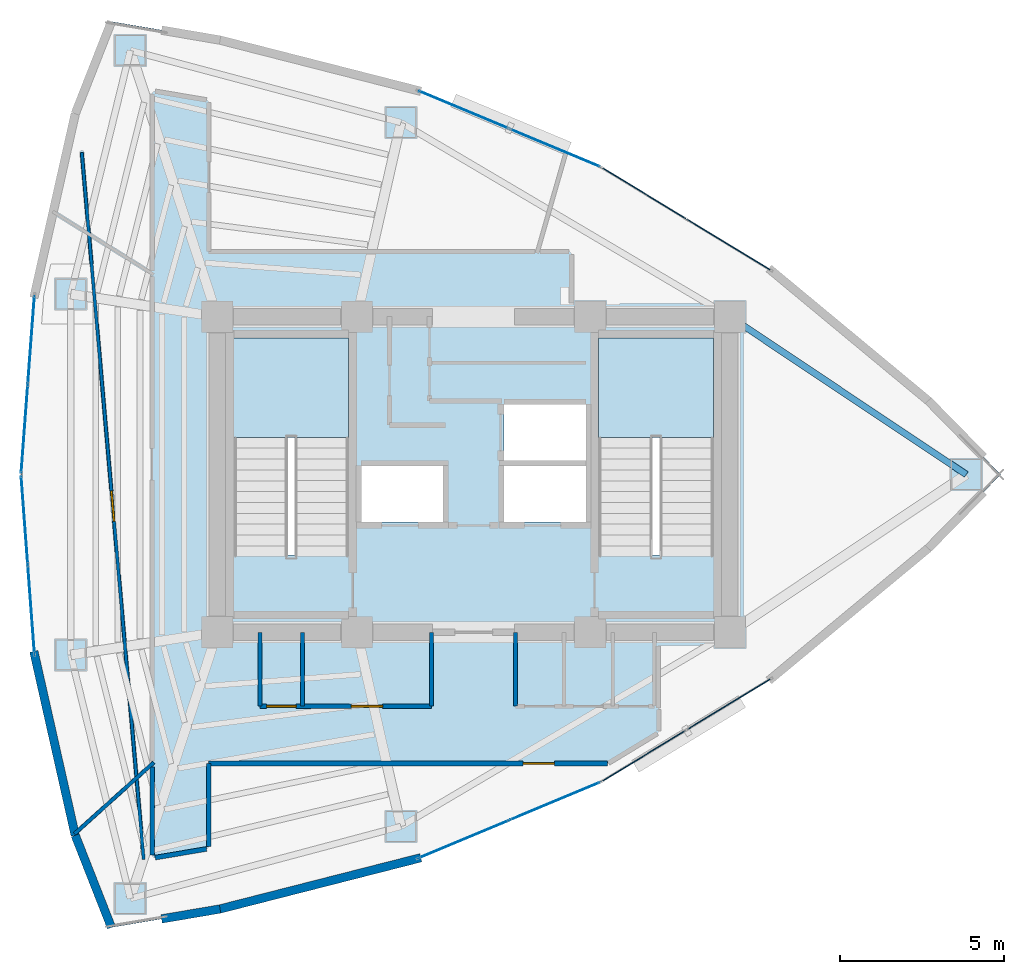
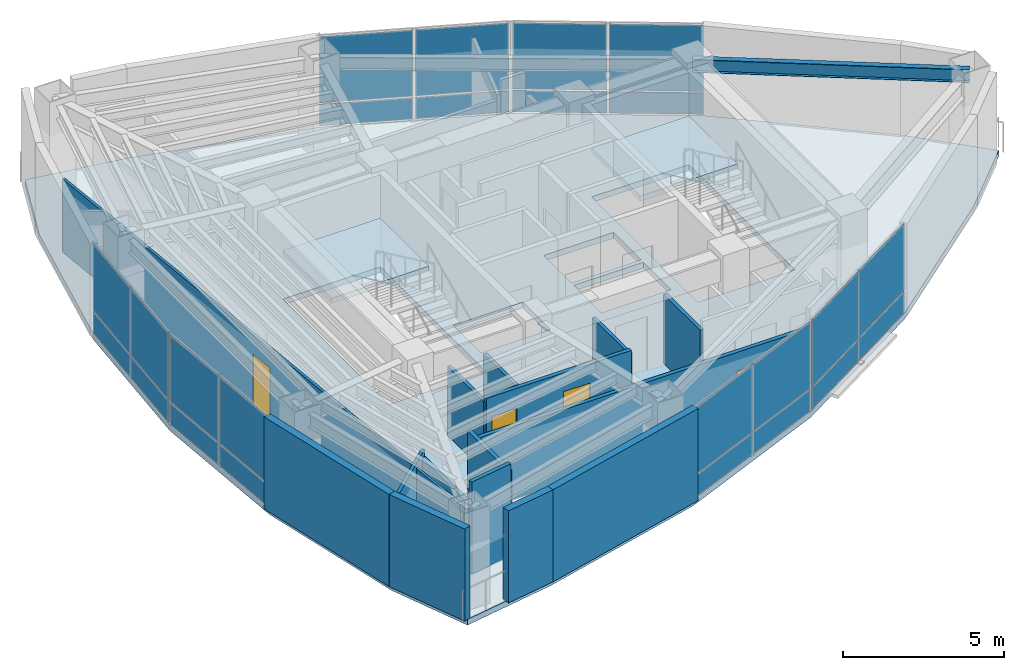
# One storey, part 11 of 16: 24 plates, 15 walls, 4 doors, 3 slabs, 1 beam, 4 openings, 8 elements without a shape of their own.
"""IFC4 building model written with IfcOpenShell, lengths in metres."""

import ifcopenshell
import ifcopenshell.guid

model = None  # the IFC model being written
_history = None  # IfcOwnerHistory: only IFC2X3 demands one
_inside = {}  # id of a spatial element -> (the spatial element, [elements in it])
_under = {}  # id of a project, library or spatial element -> (it, [spatial elements below it])
_declared = {}  # id of a project -> (the project, [libraries it declares])
_typed = {}  # id of a type object -> (the type object, [elements of that type])
_made_of = {}  # id of a material, layer set ... -> (it, [elements and type objects made of it])


def new_model(schema):
    """Start an empty IFC model of exactly this schema.

    Asked for "IFC4X3", IfcOpenShell would pick the latest addendum, in which some entities
    have other attributes; the version numbers below select the first issue.
    IFC2X3 requires an IfcOwnerHistory on every rooted entity: one is made here for all.
    """
    global model, _history
    if schema == "IFC4X3":
        model = ifcopenshell.file(schema_version=(4, 3, 0, 0))
    else:
        model = ifcopenshell.file(schema=schema)
    _inside.clear()
    _under.clear()
    _declared.clear()
    _typed.clear()
    _made_of.clear()
    _history = None
    if model.schema == "IFC2X3":
        org = make("IfcOrganization", Name="unknown")
        user = make(
            "IfcPersonAndOrganization",
            ThePerson=make("IfcPerson", FamilyName="unknown"),
            TheOrganization=org,
        )
        app = make(
            "IfcApplication",
            ApplicationDeveloper=org,
            Version="unknown",
            ApplicationFullName="unknown",
            ApplicationIdentifier="unknown",
        )
        _history = make(
            "IfcOwnerHistory",
            OwningUser=user,
            OwningApplication=app,
            ChangeAction="ADDED",
            CreationDate=0,
        )
    return model


def make(cls, **values):
    """One entity of the class cls with the attributes given. An attribute that is None is left unset."""
    return model.create_entity(
        cls, **{name: value for name, value in values.items() if value is not None}
    )


def rooted(cls, **values):
    """An entity with a GlobalId (a new one), such as an element, a storey or a relation."""
    return make(cls, GlobalId=ifcopenshell.guid.new(), OwnerHistory=_history, **values)


def si_unit(unit_type, name, prefix=None):
    """IfcSIUnit, for example si_unit("LENGTHUNIT", "METRE", prefix="MILLI")."""
    return make("IfcSIUnit", UnitType=unit_type, Prefix=prefix, Name=name)


def assignment(units):
    """IfcUnitAssignment: the units of a project."""
    return None if units is None else make("IfcUnitAssignment", Units=units)


def point(xyz):
    """IfcCartesianPoint."""
    return None if xyz is None else make("IfcCartesianPoint", Coordinates=xyz)


def direction(xyz):
    """IfcDirection."""
    return None if xyz is None else make("IfcDirection", DirectionRatios=xyz)


def frame(location, z_axis=None, x_axis=None):
    """IfcAxis2Placement3D, a coordinate frame: its origin and axes. An axis left out is left unset."""
    return make(
        "IfcAxis2Placement3D",
        Location=point(location),
        Axis=direction(z_axis),
        RefDirection=direction(x_axis),
    )


def frame_2d(location, x_axis=None):
    """IfcAxis2Placement2D, a coordinate frame in the plane: its origin and x axis."""
    return make(
        "IfcAxis2Placement2D", Location=point(location), RefDirection=direction(x_axis)
    )


def origin():
    """The frame at (0, 0, 0) with its axes left unset."""
    return frame((0.0, 0.0, 0.0))


def origin_2d():
    """The frame at (0, 0) in the plane with its x axis left unset."""
    return frame_2d((0.0, 0.0))


def place(relative_to, where):
    """IfcLocalPlacement: puts the frame where relative to a parent placement (None: the world)."""
    return make(
        "IfcLocalPlacement", PlacementRelTo=relative_to, RelativePlacement=where
    )


def context(
    kind, dimensions, precision=None, world=None, true_north=None, identifier=None
):
    """IfcGeometricRepresentationContext, for example the 3D "Model" context."""
    return make(
        "IfcGeometricRepresentationContext",
        ContextIdentifier=identifier,
        ContextType=kind,
        CoordinateSpaceDimension=dimensions,
        Precision=precision,
        WorldCoordinateSystem=world,
        TrueNorth=true_north,
    )


def subcontext(parent, identifier, kind, view, scale=None):
    """IfcGeometricRepresentationSubContext, for example "Body" below "Model"."""
    return make(
        "IfcGeometricRepresentationSubContext",
        ContextIdentifier=identifier,
        ContextType=kind,
        ParentContext=parent,
        TargetScale=scale,
        TargetView=view,
    )


def project(units=None, contexts=None):
    """IfcProject with its units and contexts."""
    return rooted(
        "IfcProject",
        Name="project",
        RepresentationContexts=contexts,
        UnitsInContext=assignment(units),
    )


def spatial(cls, under=None, at=None, **own):
    """A site, building, storey or space (cls), placed at a placement, below another one or the project."""
    s = rooted(cls, ObjectPlacement=at, **own)
    if under is not None:
        _under.setdefault(under.id(), (under, []))[1].append(s)
    return s


def polyline(points):
    """IfcPolyline through the points."""
    return make("IfcPolyline", Points=[point(p) for p in points])


def profile(cls, at=None, kind="AREA", **sizes):
    """A parametric profile (cls). Its sizes go by their IFC names, for example OverallWidth=200.0."""
    return make(cls, ProfileType=kind, Position=at, **sizes)


def rectangle(**sizes):
    """IfcRectangleProfileDef."""
    return profile("IfcRectangleProfileDef", **sizes)


def i_section(**sizes):
    """IfcIShapeProfileDef."""
    return profile("IfcIShapeProfileDef", **sizes)


def outline(outer, holes=None, kind="AREA"):
    """IfcArbitraryClosedProfileDef: a profile drawn as a closed curve; with holes, ...WithVoids."""
    if holes is None:
        return make("IfcArbitraryClosedProfileDef", ProfileType=kind, OuterCurve=outer)
    return make(
        "IfcArbitraryProfileDefWithVoids",
        ProfileType=kind,
        OuterCurve=outer,
        InnerCurves=holes,
    )


def extrude(swept, where, along, depth):
    """IfcExtrudedAreaSolid: the profile swept, set in the frame where, extruded along a direction by depth."""
    return make(
        "IfcExtrudedAreaSolid",
        SweptArea=swept,
        Position=where,
        ExtrudedDirection=direction(along),
        Depth=depth,
    )


def shape(context_of_items, identifier, shape_type, items):
    """IfcShapeRepresentation: the items that make up one representation, for example the "Body"."""
    return make(
        "IfcShapeRepresentation",
        ContextOfItems=context_of_items,
        RepresentationIdentifier=identifier,
        RepresentationType=shape_type,
        Items=items,
    )


def material(Name=None, Category=None):
    """IfcMaterial."""
    return make("IfcMaterial", Name=Name, Category=Category)


def layer(
    of_material, thickness, ventilated=None, Name=None, Category=None, Priority=None
):
    """IfcMaterialLayer: one layer of a wall or slab, of a material (None: an air gap)."""
    return make(
        "IfcMaterialLayer",
        Material=of_material,
        LayerThickness=thickness,
        IsVentilated=ventilated,
        Name=Name,
        Category=Category,
        Priority=Priority,
    )


def layer_set(layers, Name=None):
    """IfcMaterialLayerSet."""
    return make("IfcMaterialLayerSet", MaterialLayers=layers, LayerSetName=Name)


def material_profile(
    of_material, cross_section, Name=None, Category=None, Priority=None
):
    """IfcMaterialProfile: a cross section and its material."""
    return make(
        "IfcMaterialProfile",
        Name=Name,
        Material=of_material,
        Profile=cross_section,
        Priority=Priority,
        Category=Category,
    )


def profile_set(profiles, Name=None, composite=None):
    """IfcMaterialProfileSet."""
    return make(
        "IfcMaterialProfileSet",
        Name=Name,
        MaterialProfiles=profiles,
        CompositeProfile=composite,
    )


def made_of(thing, what):
    """Note that an element or type object is made of a material, layer set ...; save() writes the relation."""
    if what is not None:
        _made_of.setdefault(what.id(), (what, []))[1].append(thing)
    return thing


def type_object(cls, material=None, **own):
    """A type object (cls), such as IfcWallType, which elements share."""
    return made_of(rooted(cls, **own), material)


def element(
    cls,
    number,
    at=None,
    inside=None,
    cuts=None,
    type_object=None,
    material=None,
    context=None,
    identifier="Body",
    shape_type=None,
    held_by="IfcProductDefinitionShape",
    body=None,
    shapes=None,
    **own,
):
    """One element of the class cls, such as IfcWall. Its Tag is "e" and its number.

    at: its placement. inside: the storey or other place that contains it. cuts: it is an
    opening in that element (IfcRelVoidsElement). A single representation is given by context,
    identifier, shape_type and body (its items); several are given by shapes. held_by: the class
    of the entity that holds the representations. save() writes the other relations.
    """
    e = rooted(cls, Tag="e%d" % number, ObjectPlacement=at, **own)
    if body is not None:
        shapes = [shape(context, identifier, shape_type, body)]
    if shapes is not None:
        e.Representation = make(held_by, Representations=shapes)
    if inside is not None:
        _inside.setdefault(inside.id(), (inside, []))[1].append(e)
    if cuts is not None:
        rooted(
            "IfcRelVoidsElement", RelatingBuildingElement=cuts, RelatedOpeningElement=e
        )
    if type_object is not None:
        _typed.setdefault(type_object.id(), (type_object, []))[1].append(e)
    return made_of(e, material)


def fill(opening, filler):
    """IfcRelFillsElement: the door or window that sits in an opening."""
    return rooted(
        "IfcRelFillsElement",
        RelatingOpeningElement=opening,
        RelatedBuildingElement=filler,
    )


def aggregate(whole, parts):
    """IfcRelAggregates: a whole, such as a stair, and the parts it consists of."""
    return rooted("IfcRelAggregates", RelatingObject=whole, RelatedObjects=parts)


def save(model, path):
    """Write the relations noted so far, then the file.

    IfcRelAggregates (storeys below a building ...), IfcRelContainedInSpatialStructure (elements
    in a storey), IfcRelDefinesByType, IfcRelAssociatesMaterial and IfcRelDeclares: one each for
    every whole, place, type object, material and project.
    """
    for whole, parts in _under.values():
        aggregate(whole, parts)
    for where, things in _inside.values():
        rooted(
            "IfcRelContainedInSpatialStructure",
            RelatedElements=things,
            RelatingStructure=where,
        )
    for kind, things in _typed.values():
        rooted("IfcRelDefinesByType", RelatedObjects=things, RelatingType=kind)
    for what, things in _made_of.values():
        rooted("IfcRelAssociatesMaterial", RelatedObjects=things, RelatingMaterial=what)
    for by, libraries in _declared.values():
        rooted("IfcRelDeclares", RelatingContext=by, RelatedDefinitions=libraries)
    model.write(path)


model = new_model("IFC4")

# Units and contexts
model_context = context("Model", 3, precision=1e-05, world=origin(), true_north=direction((0.0, 1.0)))
body_context = subcontext(model_context, "Body", "Model", "MODEL_VIEW")
ifc_project = project(units=[si_unit("LENGTHUNIT", "METRE"), si_unit("AREAUNIT", "SQUARE_METRE"), si_unit("VOLUMEUNIT", "CUBIC_METRE"), si_unit("PLANEANGLEUNIT", "RADIAN"), si_unit("MASSUNIT", "GRAM", prefix="KILO")], contexts=[model_context])

# Site, building, storey
site_placement = place(None, origin())
site = spatial("IfcSite", under=ifc_project, at=site_placement, CompositionType="ELEMENT")
building_placement = place(site_placement, origin())
building = spatial("IfcBuilding", under=site, at=building_placement, Name="Menara Vayukalpa", CompositionType="ELEMENT")
storey_placement = place(building_placement, frame((0.0, 0.0, 219.5400390625)))
storey = spatial("IfcBuildingStorey", under=building, at=storey_placement, Name="L55", CompositionType="ELEMENT", Elevation=219.5400390625)

# Beam
ifc_material_1 = material(Name="Steel S355", Category="steel")
ifc_material_profile = material_profile(ifc_material_1, i_section(OverallWidth=0.199951171875, OverallDepth=0.5, WebThickness=0.010009765625, FlangeThickness=0.01611328125, at=origin_2d()), Name="WF 500x200x10x16")
ifc_profile_set = profile_set([ifc_material_profile], Name="Steel S355")
beam_type = type_object("IfcBeamType", Name="BM-SP3", PredefinedType="SPANDREL", material=ifc_profile_set)
beam_placement = place(storey_placement, frame((40.590576171875, 22.0, 3.25), z_axis=(-0.831715622571, 0.555201876052, 0.0), x_axis=(-0.555201876052, -0.831715622571, 0.0)))
element("IfcBeam", 1, at=beam_placement, inside=storey, type_object=beam_type, Name="L55 Perimeter Spandrel Beam SP01", PredefinedType="SPANDREL", context=body_context, shape_type="SweptSolid", body=[
    extrude(i_section(OverallWidth=0.199951171875, OverallDepth=0.5, WebThickness=0.010009765625, FlangeThickness=0.01611328125, at=origin_2d()), origin(), (0.0, 0.0, 1.0), 8.6455078125),
])

# Curtain wall, plates
ifc_material_2 = material(Name="Anodised Terracotta Aluminium Alloy 6063-T6", Category="masonry")
ifc_layer_1 = layer(ifc_material_2, 0.139892578125)
ifc_layer_set_1 = layer_set([ifc_layer_1], Name="Anodised Terracotta Aluminium Alloy 6063-T6")
curtain_wall_type = type_object("IfcCurtainWallType", Name="CW-CW5", PredefinedType="USERDEFINED", material=ifc_layer_set_1)
curtain_wall_1_placement = place(storey_placement, origin())
curtain_wall_1 = element("IfcCurtainWall", 2, at=curtain_wall_1_placement, inside=storey, type_object=curtain_wall_type, Name="L55 High Rise Tapered Curtain Wall CW5 04", ObjectType="UNITISED", PredefinedType="USERDEFINED")
ifc_material_3 = material(Name="Low-E Double Glazing", Category="glass")
ifc_layer_2 = layer(ifc_material_3, 0.028076171875)
ifc_layer_set_2 = layer_set([ifc_layer_2], Name="Low-E Double Glazing")
plate_type = type_object("IfcPlateType", Name="CWP-CW5", PredefinedType="CURTAIN_PANEL", material=ifc_layer_set_2)
plate_1_placement = place(storey_placement, frame((33.358642578125, 28.994384765625, 0.059814453125), z_axis=(0.0, 0.0, 1.0), x_axis=(-0.854664974832, 0.519179911779, 0.0)))
plate_1 = element("IfcPlate", 3, at=plate_1_placement, type_object=plate_type, Name="CW5 panel 1.1", PredefinedType="CURTAIN_PANEL", context=body_context, shape_type="SweptSolid", body=[
    extrude(rectangle(XDim=2.9423828125, YDim=0.028076171875, at=origin_2d()), origin(), (0.0, 0.0, 1.0), 0.81005859375),
])
plate_2_placement = place(storey_placement, frame((33.358642578125, 28.994384765625, 0.93017578125), z_axis=(0.0, 0.0, 1.0), x_axis=(-0.854664974832, 0.519179911779, 0.0)))
plate_2 = element("IfcPlate", 4, at=plate_2_placement, type_object=plate_type, Name="CW5 panel 1.2", PredefinedType="CURTAIN_PANEL", context=body_context, shape_type="SweptSolid", body=[
    extrude(rectangle(XDim=2.9423828125, YDim=0.028076171875, at=origin_2d()), origin(), (0.0, 0.0, 1.0), 2.510009765625),
])
plate_3_placement = place(storey_placement, frame((30.79248046875, 30.55322265625, 0.059814453125), z_axis=(0.0, 0.0, 1.0), x_axis=(-0.854664974832, 0.519179911779, 0.0)))
plate_3 = element("IfcPlate", 5, at=plate_3_placement, type_object=plate_type, Name="CW5 panel 2.1", PredefinedType="CURTAIN_PANEL", context=body_context, shape_type="SweptSolid", body=[
    extrude(rectangle(XDim=2.9423828125, YDim=0.028076171875, at=origin_2d()), origin(), (0.0, 0.0, 1.0), 0.81005859375),
])
plate_4_placement = place(storey_placement, frame((30.79248046875, 30.55322265625, 0.93017578125), z_axis=(0.0, 0.0, 1.0), x_axis=(-0.854664974832, 0.519179911779, 0.0)))
plate_4 = element("IfcPlate", 6, at=plate_4_placement, type_object=plate_type, Name="CW5 panel 2.2", PredefinedType="CURTAIN_PANEL", context=body_context, shape_type="SweptSolid", body=[
    extrude(rectangle(XDim=2.9423828125, YDim=0.028076171875, at=origin_2d()), origin(), (0.0, 0.0, 1.0), 2.510009765625),
])
aggregate(curtain_wall_1, [plate_1, plate_2, plate_3, plate_4])

curtain_wall_2_placement = place(storey_placement, origin())
curtain_wall_2 = element("IfcCurtainWall", 7, at=curtain_wall_2_placement, inside=storey, type_object=curtain_wall_type, Name="L55 High Rise Tapered Curtain Wall CW5 05", ObjectType="UNITISED", PredefinedType="USERDEFINED")
plate_5_placement = place(storey_placement, frame((28.071044921875, 31.93896484375, 0.059814453125), z_axis=(0.0, 0.0, 1.0), x_axis=(-0.922539431351, 0.385902834406, 0.0)))
plate_5 = element("IfcPlate", 8, at=plate_5_placement, type_object=plate_type, Name="CW5 panel 1.1", PredefinedType="CURTAIN_PANEL", context=body_context, shape_type="SweptSolid", body=[
    extrude(rectangle(XDim=2.9423828125, YDim=0.028076171875, at=origin_2d()), origin(), (0.0, 0.0, 1.0), 0.81005859375),
])
plate_6_placement = place(storey_placement, frame((28.071044921875, 31.93896484375, 0.93017578125), z_axis=(0.0, 0.0, 1.0), x_axis=(-0.922539431351, 0.385902834406, 0.0)))
plate_6 = element("IfcPlate", 9, at=plate_6_placement, type_object=plate_type, Name="CW5 panel 1.2", PredefinedType="CURTAIN_PANEL", context=body_context, shape_type="SweptSolid", body=[
    extrude(rectangle(XDim=2.9423828125, YDim=0.028076171875, at=origin_2d()), origin(), (0.0, 0.0, 1.0), 2.510009765625),
])
plate_7_placement = place(storey_placement, frame((25.30126953125, 33.09765625, 0.059814453125), z_axis=(0.0, 0.0, 1.0), x_axis=(-0.922539431351, 0.385902834406, 0.0)))
plate_7 = element("IfcPlate", 10, at=plate_7_placement, type_object=plate_type, Name="CW5 panel 2.1", PredefinedType="CURTAIN_PANEL", context=body_context, shape_type="SweptSolid", body=[
    extrude(rectangle(XDim=2.9423828125, YDim=0.028076171875, at=origin_2d()), origin(), (0.0, 0.0, 1.0), 0.81005859375),
])
plate_8_placement = place(storey_placement, frame((25.30126953125, 33.09765625, 0.93017578125), z_axis=(0.0, 0.0, 1.0), x_axis=(-0.922539431351, 0.385902834406, 0.0)))
plate_8 = element("IfcPlate", 11, at=plate_8_placement, type_object=plate_type, Name="CW5 panel 2.2", PredefinedType="CURTAIN_PANEL", context=body_context, shape_type="SweptSolid", body=[
    extrude(rectangle(XDim=2.9423828125, YDim=0.028076171875, at=origin_2d()), origin(), (0.0, 0.0, 1.0), 2.510009765625),
])
aggregate(curtain_wall_2, [plate_5, plate_6, plate_7, plate_8])

curtain_wall_3_placement = place(storey_placement, origin())
curtain_wall_3 = element("IfcCurtainWall", 12, at=curtain_wall_3_placement, inside=storey, type_object=curtain_wall_type, Name="L55 High Rise Tapered Curtain Wall CW5 10", ObjectType="UNITISED", PredefinedType="USERDEFINED")
plate_9_placement = place(storey_placement, frame((12.139892578125, 26.10205078125, 0.059814453125), z_axis=(0.0, 0.0, 1.0), x_axis=(-0.074791754736, -0.9971991744, 0.0)))
plate_9 = element("IfcPlate", 13, at=plate_9_placement, type_object=plate_type, Name="CW5 panel 1.1", PredefinedType="CURTAIN_PANEL", context=body_context, shape_type="SweptSolid", body=[
    extrude(rectangle(XDim=2.662353515625, YDim=0.028076171875, at=origin_2d()), origin(), (0.0, 0.0, 1.0), 0.81005859375),
])
plate_10_placement = place(storey_placement, frame((12.139892578125, 26.10205078125, 0.93017578125), z_axis=(0.0, 0.0, 1.0), x_axis=(-0.074791754736, -0.9971991744, 0.0)))
plate_10 = element("IfcPlate", 14, at=plate_10_placement, type_object=plate_type, Name="CW5 panel 1.2", PredefinedType="CURTAIN_PANEL", context=body_context, shape_type="SweptSolid", body=[
    extrude(rectangle(XDim=2.662353515625, YDim=0.028076171875, at=origin_2d()), origin(), (0.0, 0.0, 1.0), 2.510009765625),
])
plate_11_placement = place(storey_placement, frame((11.936279296875, 23.38720703125, 0.059814453125), z_axis=(0.0, 0.0, 1.0), x_axis=(-0.074791754736, -0.9971991744, 0.0)))
plate_11 = element("IfcPlate", 15, at=plate_11_placement, type_object=plate_type, Name="CW5 panel 2.1", PredefinedType="CURTAIN_PANEL", context=body_context, shape_type="SweptSolid", body=[
    extrude(rectangle(XDim=2.662353515625, YDim=0.028076171875, at=origin_2d()), origin(), (0.0, 0.0, 1.0), 0.81005859375),
])
plate_12_placement = place(storey_placement, frame((11.936279296875, 23.38720703125, 0.93017578125), z_axis=(0.0, 0.0, 1.0), x_axis=(-0.074791754736, -0.9971991744, 0.0)))
plate_12 = element("IfcPlate", 16, at=plate_12_placement, type_object=plate_type, Name="CW5 panel 2.2", PredefinedType="CURTAIN_PANEL", context=body_context, shape_type="SweptSolid", body=[
    extrude(rectangle(XDim=2.662353515625, YDim=0.028076171875, at=origin_2d()), origin(), (0.0, 0.0, 1.0), 2.510009765625),
])
aggregate(curtain_wall_3, [plate_9, plate_10, plate_11, plate_12])

curtain_wall_4_placement = place(storey_placement, origin())
curtain_wall_4 = element("IfcCurtainWall", 17, at=curtain_wall_4_placement, inside=storey, type_object=curtain_wall_type, Name="L55 High Rise Tapered Curtain Wall CW5 11", ObjectType="UNITISED", PredefinedType="USERDEFINED")
plate_13_placement = place(storey_placement, frame((11.936279296875, 20.61279296875, 0.059814453125), z_axis=(0.0, 0.0, 1.0), x_axis=(0.074791754736, -0.9971991744, 0.0)))
plate_13 = element("IfcPlate", 18, at=plate_13_placement, type_object=plate_type, Name="CW5 panel 1.1", PredefinedType="CURTAIN_PANEL", context=body_context, shape_type="SweptSolid", body=[
    extrude(rectangle(XDim=2.662353515625, YDim=0.028076171875, at=origin_2d()), origin(), (0.0, 0.0, 1.0), 0.81005859375),
])
plate_14_placement = place(storey_placement, frame((11.936279296875, 20.61279296875, 0.93017578125), z_axis=(0.0, 0.0, 1.0), x_axis=(0.074791754736, -0.9971991744, 0.0)))
plate_14 = element("IfcPlate", 19, at=plate_14_placement, type_object=plate_type, Name="CW5 panel 1.2", PredefinedType="CURTAIN_PANEL", context=body_context, shape_type="SweptSolid", body=[
    extrude(rectangle(XDim=2.662353515625, YDim=0.028076171875, at=origin_2d()), origin(), (0.0, 0.0, 1.0), 2.510009765625),
])
plate_15_placement = place(storey_placement, frame((12.139892578125, 17.89794921875, 0.059814453125), z_axis=(0.0, 0.0, 1.0), x_axis=(0.074791754736, -0.9971991744, 0.0)))
plate_15 = element("IfcPlate", 20, at=plate_15_placement, type_object=plate_type, Name="CW5 panel 2.1", PredefinedType="CURTAIN_PANEL", context=body_context, shape_type="SweptSolid", body=[
    extrude(rectangle(XDim=2.662353515625, YDim=0.028076171875, at=origin_2d()), origin(), (0.0, 0.0, 1.0), 0.81005859375),
])
plate_16_placement = place(storey_placement, frame((12.139892578125, 17.89794921875, 0.93017578125), z_axis=(0.0, 0.0, 1.0), x_axis=(0.074791754736, -0.9971991744, 0.0)))
plate_16 = element("IfcPlate", 21, at=plate_16_placement, type_object=plate_type, Name="CW5 panel 2.2", PredefinedType="CURTAIN_PANEL", context=body_context, shape_type="SweptSolid", body=[
    extrude(rectangle(XDim=2.662353515625, YDim=0.028076171875, at=origin_2d()), origin(), (0.0, 0.0, 1.0), 2.510009765625),
])
aggregate(curtain_wall_4, [plate_13, plate_14, plate_15, plate_16])

curtain_wall_5_placement = place(storey_placement, origin())
curtain_wall_5 = element("IfcCurtainWall", 22, at=curtain_wall_5_placement, inside=storey, type_object=curtain_wall_type, Name="L55 High Rise Tapered Curtain Wall CW5 16", ObjectType="UNITISED", PredefinedType="USERDEFINED")
plate_17_placement = place(storey_placement, frame((25.30126953125, 10.90234375, 0.059814453125), z_axis=(0.0, 0.0, 1.0), x_axis=(0.922539431351, 0.385902834406, 0.0)))
plate_17 = element("IfcPlate", 23, at=plate_17_placement, type_object=plate_type, Name="CW5 panel 1.1", PredefinedType="CURTAIN_PANEL", context=body_context, shape_type="SweptSolid", body=[
    extrude(rectangle(XDim=2.9423828125, YDim=0.028076171875, at=origin_2d()), origin(), (0.0, 0.0, 1.0), 0.81005859375),
])
plate_18_placement = place(storey_placement, frame((25.30126953125, 10.90234375, 0.93017578125), z_axis=(0.0, 0.0, 1.0), x_axis=(0.922539431351, 0.385902834406, 0.0)))
plate_18 = element("IfcPlate", 24, at=plate_18_placement, type_object=plate_type, Name="CW5 panel 1.2", PredefinedType="CURTAIN_PANEL", context=body_context, shape_type="SweptSolid", body=[
    extrude(rectangle(XDim=2.9423828125, YDim=0.028076171875, at=origin_2d()), origin(), (0.0, 0.0, 1.0), 2.510009765625),
])
plate_19_placement = place(storey_placement, frame((28.071044921875, 12.06103515625, 0.059814453125), z_axis=(0.0, 0.0, 1.0), x_axis=(0.922539431351, 0.385902834406, 0.0)))
plate_19 = element("IfcPlate", 25, at=plate_19_placement, type_object=plate_type, Name="CW5 panel 2.1", PredefinedType="CURTAIN_PANEL", context=body_context, shape_type="SweptSolid", body=[
    extrude(rectangle(XDim=2.9423828125, YDim=0.028076171875, at=origin_2d()), origin(), (0.0, 0.0, 1.0), 0.81005859375),
])
plate_20_placement = place(storey_placement, frame((28.071044921875, 12.06103515625, 0.93017578125), z_axis=(0.0, 0.0, 1.0), x_axis=(0.922539431351, 0.385902834406, 0.0)))
plate_20 = element("IfcPlate", 26, at=plate_20_placement, type_object=plate_type, Name="CW5 panel 2.2", PredefinedType="CURTAIN_PANEL", context=body_context, shape_type="SweptSolid", body=[
    extrude(rectangle(XDim=2.9423828125, YDim=0.028076171875, at=origin_2d()), origin(), (0.0, 0.0, 1.0), 2.510009765625),
])
aggregate(curtain_wall_5, [plate_17, plate_18, plate_19, plate_20])

curtain_wall_6_placement = place(storey_placement, origin())
curtain_wall_6 = element("IfcCurtainWall", 27, at=curtain_wall_6_placement, inside=storey, type_object=curtain_wall_type, Name="L55 High Rise Tapered Curtain Wall CW5 17", ObjectType="UNITISED", PredefinedType="USERDEFINED")
plate_21_placement = place(storey_placement, frame((30.79248046875, 13.44677734375, 0.059814453125), z_axis=(0.0, 0.0, 1.0), x_axis=(0.854664974832, 0.519179911779, 0.0)))
plate_21 = element("IfcPlate", 28, at=plate_21_placement, type_object=plate_type, Name="CW5 panel 1.1", PredefinedType="CURTAIN_PANEL", context=body_context, shape_type="SweptSolid", body=[
    extrude(rectangle(XDim=2.9423828125, YDim=0.028076171875, at=origin_2d()), origin(), (0.0, 0.0, 1.0), 0.81005859375),
])
plate_22_placement = place(storey_placement, frame((30.79248046875, 13.44677734375, 0.93017578125), z_axis=(0.0, 0.0, 1.0), x_axis=(0.854664974832, 0.519179911779, 0.0)))
plate_22 = element("IfcPlate", 29, at=plate_22_placement, type_object=plate_type, Name="CW5 panel 1.2", PredefinedType="CURTAIN_PANEL", context=body_context, shape_type="SweptSolid", body=[
    extrude(rectangle(XDim=2.9423828125, YDim=0.028076171875, at=origin_2d()), origin(), (0.0, 0.0, 1.0), 2.510009765625),
])
plate_23_placement = place(storey_placement, frame((33.358642578125, 15.005615234375, 0.059814453125), z_axis=(0.0, 0.0, 1.0), x_axis=(0.854664974832, 0.519179911779, 0.0)))
plate_23 = element("IfcPlate", 30, at=plate_23_placement, type_object=plate_type, Name="CW5 panel 2.1", PredefinedType="CURTAIN_PANEL", context=body_context, shape_type="SweptSolid", body=[
    extrude(rectangle(XDim=2.9423828125, YDim=0.028076171875, at=origin_2d()), origin(), (0.0, 0.0, 1.0), 0.81005859375),
])
plate_24_placement = place(storey_placement, frame((33.358642578125, 15.005615234375, 0.93017578125), z_axis=(0.0, 0.0, 1.0), x_axis=(0.854664974832, 0.519179911779, 0.0)))
plate_24 = element("IfcPlate", 31, at=plate_24_placement, type_object=plate_type, Name="CW5 panel 2.2", PredefinedType="CURTAIN_PANEL", context=body_context, shape_type="SweptSolid", body=[
    extrude(rectangle(XDim=2.9423828125, YDim=0.028076171875, at=origin_2d()), origin(), (0.0, 0.0, 1.0), 2.510009765625),
])
aggregate(curtain_wall_6, [plate_21, plate_22, plate_23, plate_24])

# Slab
ifc_material_4 = material(Name="Concrete C40/50", Category="concrete")
ifc_layer_3 = layer(ifc_material_4, 0.219970703125)
ifc_layer_set_3 = layer_set([ifc_layer_3], Name="Concrete C40/50")
slab_type_1 = type_object("IfcSlabType", Name="SLB-FL220", PredefinedType="FLOOR", material=ifc_layer_set_3)
slab_1_placement = place(storey_placement, frame((0.0, 0.0, -0.219970703125)))
element("IfcSlab", 32, at=slab_1_placement, inside=storey, type_object=slab_type_1, Name="L55 Structural Floor Slab", PredefinedType="FLOOR", context=body_context, shape_type="SweptSolid", body=[
    extrude(outline(polyline([(39.439208984375, 19.7578125), (41.640380859375, 22.0), (39.439208984375, 24.2421875), (34.667236328125, 28.19921875), (29.48388671875, 31.34814453125), (23.888671875, 33.688720703125), (17.881591796875, 35.220703125), (14.579833984375, 35.781005859375), (13.47900390625, 32.978515625), (12.243896484375, 27.4892578125), (11.832275390625, 22.0), (12.243896484375, 16.5107421875), (13.47900390625, 11.021484375), (14.579833984375, 8.218994140625), (17.881591796875, 8.779296875), (23.888671875, 10.311279296875), (29.48388671875, 12.65185546875), (34.667236328125, 15.80078125), (39.439208984375, 19.7578125)]), holes=[polyline([(21.800048828125, 19.550048828125), (21.800048828125, 26.14990234375), (18.300048828125, 26.14990234375), (18.300048828125, 19.550048828125), (21.800048828125, 19.550048828125)]), polyline([(32.89990234375, 19.550048828125), (32.89990234375, 26.14990234375), (29.39990234375, 26.14990234375), (29.39990234375, 19.550048828125), (32.89990234375, 19.550048828125)]), polyline([(22.179931640625, 20.550048828125), (24.679931640625, 20.550048828125), (24.679931640625, 22.27001953125), (22.179931640625, 22.27001953125), (22.179931640625, 20.550048828125)]), polyline([(26.52001953125, 20.550048828125), (29.02001953125, 20.550048828125), (29.02001953125, 22.27001953125), (26.52001953125, 22.27001953125), (26.52001953125, 20.550048828125)]), polyline([(26.52001953125, 22.419921875), (29.02001953125, 22.419921875), (29.02001953125, 24.139892578125), (26.52001953125, 24.139892578125), (26.52001953125, 22.419921875)])]), origin(), (0.0, 0.0, 1.0), 0.219970703125),
])

# Stair, slab
ifc_material_5 = material(Name="Precast Concrete C40/50", Category="concrete")
stair_type = type_object("IfcStairType", Name="STR-T04", PredefinedType="DOUBLE_RETURN_STAIR", material=ifc_material_5)
stair_1_placement = place(storey_placement, origin())
stair_1 = element("IfcStair", 33, at=stair_1_placement, inside=storey, type_object=stair_type, Name="L55 Core Exit Stair ST-1", PredefinedType="DOUBLE_RETURN_STAIR")
ifc_material_6 = material(Name="Precast Concrete C40/50", Category="concrete")
ifc_layer_4 = layer(ifc_material_6, 0.199951171875)
ifc_layer_set_4 = layer_set([ifc_layer_4], Name="Precast Concrete C40/50")
slab_type_2 = type_object("IfcSlabType", Name="SLB-LND200", PredefinedType="LANDING", material=ifc_layer_set_4)
slab_2_placement = place(storey_placement, frame((0.0, 0.0, 1.659912109375)))
slab_2 = element("IfcSlab", 34, at=slab_2_placement, type_object=slab_type_2, Name="ST-1 landing 1", PredefinedType="LANDING", context=body_context, shape_type="SweptSolid", body=[
    extrude(outline(polyline([(21.800048828125, 23.1298828125), (21.800048828125, 26.14990234375), (18.300048828125, 26.14990234375), (18.300048828125, 23.1298828125), (21.800048828125, 23.1298828125)])), origin(), (0.0, 0.0, 1.0), 0.199951171875),
])
aggregate(stair_1, [slab_2])

stair_2_placement = place(storey_placement, origin())
stair_2 = element("IfcStair", 35, at=stair_2_placement, inside=storey, type_object=stair_type, Name="L55 Core Exit Stair ST-2", PredefinedType="DOUBLE_RETURN_STAIR")
slab_3_placement = place(storey_placement, frame((0.0, 0.0, 1.659912109375)))
slab_3 = element("IfcSlab", 36, at=slab_3_placement, type_object=slab_type_2, Name="ST-2 landing 1", PredefinedType="LANDING", context=body_context, shape_type="SweptSolid", body=[
    extrude(outline(polyline([(32.89990234375, 23.1298828125), (32.89990234375, 26.14990234375), (29.39990234375, 26.14990234375), (29.39990234375, 23.1298828125), (32.89990234375, 23.1298828125)])), origin(), (0.0, 0.0, 1.0), 0.199951171875),
])
aggregate(stair_2, [slab_3])

# Walls
ifc_material_7 = material(Name="Insulated Precast Concrete C40/50", Category="concrete")
ifc_layer_5 = layer(ifc_material_7, 0.260009765625)
ifc_layer_set_5 = layer_set([ifc_layer_5], Name="Insulated Precast Concrete C40/50")
wall_type_1 = type_object("IfcWallType", Name="WAL-EXT260", PredefinedType="PARTITIONING", material=ifc_layer_set_5)
wall_1_placement = place(storey_placement, frame((13.47900390625, 11.021484375, 0.0), z_axis=(0.0, 0.0, 1.0), x_axis=(-0.219475737697, 0.975617958303, 0.0)))
element("IfcWall", 37, at=wall_1_placement, inside=storey, type_object=wall_type_1, Name="L55 Perimeter Terracotta Pier Wall 12", PredefinedType="PARTITIONING", context=body_context, shape_type="SweptSolid", body=[
    extrude(rectangle(XDim=5.736572265625, YDim=0.260009765625, at=frame_2d((2.8681640625, 0.0))), origin(), (0.0, 0.0, 1.0), 3.5),
])
wall_2_placement = place(storey_placement, frame((14.579833984375, 8.218994140625, 0.0), z_axis=(0.0, 0.0, 1.0), x_axis=(-0.365609724313, 0.930768246927, 0.0)))
element("IfcWall", 38, at=wall_2_placement, inside=storey, type_object=wall_type_1, Name="L55 Perimeter Terracotta Pier Wall 13", PredefinedType="PARTITIONING", context=body_context, shape_type="SweptSolid", body=[
    extrude(rectangle(XDim=3.010986328125, YDim=0.260009765625, at=frame_2d((1.50537109375, 0.0))), origin(), (0.0, 0.0, 1.0), 3.5),
])
wall_3_placement = place(storey_placement, frame((17.8876953125, 8.780517578125, 0.0), z_axis=(0.0, 0.0, 1.0), x_axis=(-0.985877723898, -0.167466753484, 0.0)))
element("IfcWall", 39, at=wall_3_placement, inside=storey, type_object=wall_type_1, Name="L55 Perimeter Terracotta Pier Wall 14", PredefinedType="PARTITIONING", context=body_context, shape_type="SweptSolid", body=[
    extrude(rectangle(XDim=1.80615234375, YDim=0.260009765625, at=frame_2d((0.903076171875, 0.0))), origin(), (0.0, 0.0, 1.0), 3.5),
])
wall_4_placement = place(storey_placement, frame((23.9951171875, 10.338623046875, 0.0), z_axis=(0.0, 0.0, 1.0), x_axis=(-0.968976240439, -0.247153890246, 0.0)))
element("IfcWall", 40, at=wall_4_placement, inside=storey, type_object=wall_type_1, Name="L55 Perimeter Terracotta Pier Wall 15", PredefinedType="PARTITIONING", context=body_context, shape_type="SweptSolid", body=[
    extrude(rectangle(XDim=6.31494140625, YDim=0.260009765625, at=frame_2d((3.157470703125, 0.0))), origin(), (0.0, 0.0, 1.0), 3.5),
])

# Wall, opening, door
ifc_material_8 = material(Name="Glazed Demountable Office Partition", Category="glass")
ifc_layer_6 = layer(ifc_material_8, 0.094970703125)
ifc_layer_set_6 = layer_set([ifc_layer_6], Name="Glazed Demountable Office Partition")
wall_type_2 = type_object("IfcWallType", Name="WAL-PT100", PredefinedType="PARTITIONING", material=ifc_layer_set_6)
wall_5_placement = place(storey_placement, frame((13.6796875, 31.794921875, 0.0), z_axis=(0.0, 0.0, 1.0), x_axis=(0.087160919272, -0.996194245191, 0.0)))
wall_5 = element("IfcWall", 41, at=wall_5_placement, inside=storey, type_object=wall_type_2, Name="L55 Interior Partition IW-L55-RDIV04", PredefinedType="PARTITIONING", context=body_context, shape_type="SweptSolid", body=[
    extrude(rectangle(XDim=21.59326171875, YDim=0.094970703125, at=frame_2d((10.796630859375, 0.0))), origin(), (0.0, 0.0, 1.0), 2.780029296875),
])
opening_1_placement = place(wall_5_placement, frame((10.33642578125, 0.0, 0.0)))
opening_1 = element("IfcOpeningElement", 42, at=opening_1_placement, cuts=wall_5, Name="Opening ID6", PredefinedType="OPENING", context=body_context, shape_type="SweptSolid", body=[
    extrude(rectangle(XDim=0.919921875, YDim=2.050048828125, at=frame_2d((0.4599609375, 1.02490234375))), frame((0.0, 0.057373046875, 0.0), z_axis=(0.0, -1.0, 0.0), x_axis=(1.0, 0.0, 0.0)), (0.0, 0.0, 1.0), 0.114990234375),
])
ifc_material_9 = material(Name="Acoustic Hardwood Veneer Timber Door", Category="wood")
door_type_1 = type_object("IfcDoorType", Name="DR-INT92", OperationType="NOTDEFINED", PredefinedType="DOOR", material=ifc_material_9)
door_1_placement = place(opening_1_placement, origin())
door_1 = element("IfcDoor", 43, at=door_1_placement, inside=storey, type_object=door_type_1, Name="L55 Interior Door DR-L55-STE01", OperationType="SINGLE_SWING_LEFT", OverallHeight=2.050048828125, OverallWidth=0.919921875, PredefinedType="DOOR", context=body_context, shape_type="SweptSolid", body=[
    extrude(rectangle(XDim=0.919921875, YDim=2.050048828125, at=frame_2d((0.4599609375, 1.02490234375))), frame((0.0, 0.02490234375, 0.0), z_axis=(0.0, -1.0, 0.0), x_axis=(1.0, 0.0, 0.0)), (0.0, 0.0, 1.0), 0.050048828125),
])
fill(opening_1, door_1)

# Walls
ifc_material_10 = material(Name="Acoustic Mineral Stud Partition", Category="masonry")
ifc_layer_7 = layer(ifc_material_10, 0.110107421875)
ifc_layer_set_7 = layer_set([ifc_layer_7], Name="Acoustic Mineral Stud Partition")
wall_type_3 = type_object("IfcWallType", Name="WAL-PT110", PredefinedType="PARTITIONING", material=ifc_layer_set_7)
wall_6_placement = place(storey_placement, frame((24.320068359375, 14.949951171875, 0.0), z_axis=(0.0, 0.0, 1.0), x_axis=(0.0, 1.0, 0.0)))
element("IfcWall", 44, at=wall_6_placement, inside=storey, type_object=wall_type_3, Name="L55 Interior Partition IW-L55-SVCD-03", PredefinedType="PARTITIONING", context=body_context, shape_type="SweptSolid", body=[
    extrude(rectangle(XDim=2.25, YDim=0.110107421875, at=frame_2d((1.125, 0.0))), origin(), (0.0, 0.0, 1.0), 2.6298828125),
])
wall_7_placement = place(storey_placement, frame((15.8701171875, 13.239013671875, 0.0), z_axis=(0.0, 0.0, 1.0), x_axis=(-0.743151976427, -0.669122664339, 0.0)))
element("IfcWall", 45, at=wall_7_placement, inside=storey, type_object=wall_type_3, Name="L55 Interior Partition IW-L55-RDIV03", PredefinedType="PARTITIONING", context=body_context, shape_type="SweptSolid", body=[
    extrude(rectangle(XDim=3.2451171875, YDim=0.110107421875, at=frame_2d((1.62255859375, 0.0))), origin(), (0.0, 0.0, 1.0), 2.97998046875),
])
ifc_material_11 = material(Name="Gypsum Drywall Steel Stud Assembly", Category="steel")
ifc_layer_8 = layer(ifc_material_11, 0.125)
ifc_layer_set_8 = layer_set([ifc_layer_8], Name="Gypsum Drywall Steel Stud Assembly")
wall_type_4 = type_object("IfcWallType", Name="WAL-PT125", PredefinedType="PARTITIONING", material=ifc_layer_set_8)
for number, where, z_axis, x_axis, name in (
    (46, (19.10009765625, 14.949951171875, 0.0), (0.0, 0.0, 1.0), (0.0, 1.0, 0.0), "L55 Interior Partition IW-L55-SVCD-01"),
    (47, (20.39990234375, 14.949951171875, 0.0), (0.0, 0.0, 1.0), (0.0, 1.0, 0.0), "L55 Interior Partition IW-L55-SVCD-02"),
    (48, (26.8798828125, 14.949951171875, 0.0), (0.0, 0.0, 1.0), (0.0, 1.0, 0.0), "L55 Interior Partition IW-L55-SVCD-04"),
):
    element("IfcWall", number, at=place(storey_placement, frame(where, z_axis=z_axis, x_axis=x_axis)), inside=storey, type_object=wall_type_4, Name=name, PredefinedType="PARTITIONING", context=body_context, shape_type="SweptSolid", body=[
        extrude(rectangle(XDim=2.25, YDim=0.125, at=frame_2d((1.125, 0.0))), origin(), (0.0, 0.0, 1.0), 2.6298828125),
    ])

# Wall, openings, doors
ifc_material_12 = material(Name="Gypsum Drywall Acoustic Stud Assembly", Category="masonry")
ifc_layer_9 = layer(ifc_material_12, 0.14501953125)
ifc_layer_set_9 = layer_set([ifc_layer_9], Name="Gypsum Drywall Acoustic Stud Assembly")
wall_type_5 = type_object("IfcWallType", Name="WAL-PT150", PredefinedType="PARTITIONING", material=ifc_layer_set_9)
wall_8_placement = place(storey_placement, frame((19.10009765625, 14.949951171875, 0.0), z_axis=(0.0, 0.0, 1.0), x_axis=(1.0, 0.0, 0.0)))
wall_8 = element("IfcWall", 49, at=wall_8_placement, inside=storey, type_object=wall_type_5, Name="L55 Interior Partition IW-L55-SVCS-W", PredefinedType="PARTITIONING", context=body_context, shape_type="SweptSolid", body=[
    extrude(rectangle(XDim=5.219970703125, YDim=0.14501953125, at=frame_2d((2.60986328125, 0.0))), origin(), (0.0, 0.0, 1.0), 2.780029296875),
])
opening_2_placement = place(wall_8_placement, frame((0.199951171875, 0.0, 0.0)))
opening_2 = element("IfcOpeningElement", 50, at=opening_2_placement, cuts=wall_8, Name="Opening ID7", PredefinedType="OPENING", context=body_context, shape_type="SweptSolid", body=[
    extrude(rectangle(XDim=0.89990234375, YDim=2.02001953125, at=frame_2d((0.449951171875, 1.010009765625))), frame((0.0, 0.08251953125, 0.0), z_axis=(0.0, -1.0, 0.0), x_axis=(1.0, 0.0, 0.0)), (0.0, 0.0, 1.0), 0.1650390625),
])
opening_3_placement = place(wall_8_placement, frame((2.784912109375, 0.0, 0.0)))
opening_3 = element("IfcOpeningElement", 51, at=opening_3_placement, cuts=wall_8, Name="Opening ID5", PredefinedType="OPENING", context=body_context, shape_type="SweptSolid", body=[
    extrude(rectangle(XDim=0.949951171875, YDim=2.06005859375, at=frame_2d((0.47509765625, 1.030029296875))), frame((0.0, 0.08251953125, 0.0), z_axis=(0.0, -1.0, 0.0), x_axis=(1.0, 0.0, 0.0)), (0.0, 0.0, 1.0), 0.1650390625),
])
ifc_material_13 = material(Name="Acoustic Hardwood Veneer Timber Door", Category="wood")
door_type_2 = type_object("IfcDoorType", Name="DR-INT95", OperationType="NOTDEFINED", PredefinedType="DOOR", material=ifc_material_13)
door_2_placement = place(opening_3_placement, origin())
door_2 = element("IfcDoor", 52, at=door_2_placement, inside=storey, type_object=door_type_2, Name="L55 Interior Door DR-L55-AWC", OperationType="SINGLE_SWING_RIGHT", OverallHeight=2.06005859375, OverallWidth=0.949951171875, PredefinedType="DOOR", context=body_context, shape_type="SweptSolid", body=[
    extrude(rectangle(XDim=0.949951171875, YDim=2.06005859375, at=frame_2d((0.47509765625, 1.030029296875))), frame((0.0, 0.02490234375, 0.0), z_axis=(0.0, -1.0, 0.0), x_axis=(1.0, 0.0, 0.0)), (0.0, 0.0, 1.0), 0.050048828125),
])
fill(opening_3, door_2)
ifc_material_14 = material(Name="Powder-Coated Steel Riser Access Door", Category="steel")
door_type_3 = type_object("IfcDoorType", Name="DR-RISER", OperationType="NOTDEFINED", PredefinedType="DOOR", material=ifc_material_14)
door_3_placement = place(opening_2_placement, origin())
door_3 = element("IfcDoor", 53, at=door_3_placement, inside=storey, type_object=door_type_3, Name="L55 Interior Door DR-L55-ELR", OperationType="SINGLE_SWING_LEFT", OverallHeight=2.02001953125, OverallWidth=0.89990234375, PredefinedType="DOOR", context=body_context, shape_type="SweptSolid", body=[
    extrude(rectangle(XDim=0.89990234375, YDim=2.02001953125, at=frame_2d((0.449951171875, 1.010009765625))), frame((0.0, 0.02490234375, 0.0), z_axis=(0.0, -1.0, 0.0), x_axis=(1.0, 0.0, 0.0)), (0.0, 0.0, 1.0), 0.050048828125),
])
fill(opening_2, door_3)

# Walls
wall_9_placement = place(storey_placement, frame((15.820068359375, 13.099853515625, 0.0), z_axis=(0.0, 0.0, 1.0), x_axis=(0.0, -1.0, 0.0)))
element("IfcWall", 54, at=wall_9_placement, inside=storey, type_object=wall_type_5, Name="L55 Interior Partition IW-L55-CRM03-1", PredefinedType="PARTITIONING", context=body_context, shape_type="SweptSolid", body=[
    extrude(rectangle(XDim=2.678955078125, YDim=0.14501953125, at=frame_2d((1.33935546875, 0.0))), origin(), (0.0, 0.0, 1.0), 2.780029296875),
])
wall_10_placement = place(storey_placement, frame((15.913330078125, 10.342041015625, 0.0), z_axis=(0.0, 0.0, 1.0), x_axis=(0.985914419316, 0.167250583809, 0.0)))
element("IfcWall", 55, at=wall_10_placement, inside=storey, type_object=wall_type_5, Name="L55 Interior Partition IW-L55-CRM03-2", PredefinedType="PARTITIONING", context=body_context, shape_type="SweptSolid", body=[
    extrude(rectangle(XDim=1.582275390625, YDim=0.14501953125, at=frame_2d((0.791015625, 0.0))), origin(), (0.0, 0.0, 1.0), 3.5),
])
wall_11_placement = place(storey_placement, frame((17.5400390625, 10.685791015625, 0.0), z_axis=(0.0, 0.0, 1.0), x_axis=(0.0, 1.0, 0.0)))
element("IfcWall", 56, at=wall_11_placement, inside=storey, type_object=wall_type_5, Name="L55 Interior Partition IW-L55-CRM03-3", PredefinedType="PARTITIONING", context=body_context, shape_type="SweptSolid", body=[
    extrude(rectangle(XDim=2.524169921875, YDim=0.14501953125, at=frame_2d((1.26220703125, 0.0))), origin(), (0.0, 0.0, 1.0), 3.1298828125),
])

# Wall, opening, door
wall_12_placement = place(storey_placement, frame((17.5400390625, 13.2099609375, 0.0), z_axis=(0.0, 0.0, 1.0), x_axis=(1.0, 0.0, 0.0)))
wall_12 = element("IfcWall", 57, at=wall_12_placement, inside=storey, type_object=wall_type_5, Name="L55 Interior Partition IW-L55-CRM03-4", PredefinedType="PARTITIONING", context=body_context, shape_type="SweptSolid", body=[
    extrude(rectangle(XDim=12.12744140625, YDim=0.14501953125, at=frame_2d((6.063720703125, 0.0))), origin(), (0.0, 0.0, 1.0), 2.780029296875),
])
opening_4_placement = place(wall_12_placement, frame((9.5703125, 0.0, 0.0)))
opening_4 = element("IfcOpeningElement", 58, at=opening_4_placement, cuts=wall_12, Name="Opening ID5", PredefinedType="OPENING", context=body_context, shape_type="SweptSolid", body=[
    extrude(rectangle(XDim=0.949951171875, YDim=2.06005859375, at=frame_2d((0.47509765625, 1.030029296875))), frame((0.0, 0.08251953125, 0.0), z_axis=(0.0, -1.0, 0.0), x_axis=(1.0, 0.0, 0.0)), (0.0, 0.0, 1.0), 0.1650390625),
])
door_4_placement = place(opening_4_placement, origin())
door_4 = element("IfcDoor", 59, at=door_4_placement, inside=storey, type_object=door_type_2, Name="L55 Interior Door DR-L55-RM03", OperationType="SINGLE_SWING_RIGHT", OverallHeight=2.06005859375, OverallWidth=0.949951171875, PredefinedType="DOOR", context=body_context, shape_type="SweptSolid", body=[
    extrude(rectangle(XDim=0.949951171875, YDim=2.06005859375, at=frame_2d((0.47509765625, 1.030029296875))), frame((0.0, 0.02490234375, 0.0), z_axis=(0.0, -1.0, 0.0), x_axis=(1.0, 0.0, 0.0)), (0.0, 0.0, 1.0), 0.050048828125),
])
fill(opening_4, door_4)

save(model, "model.ifc")
